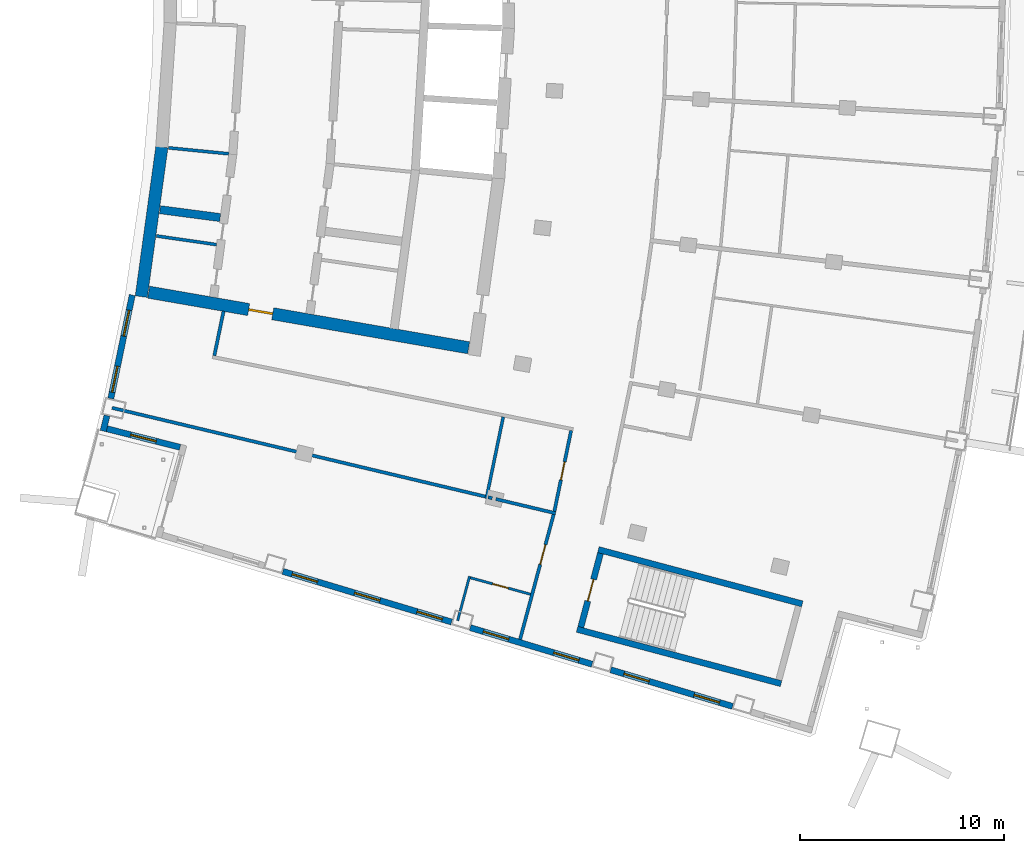
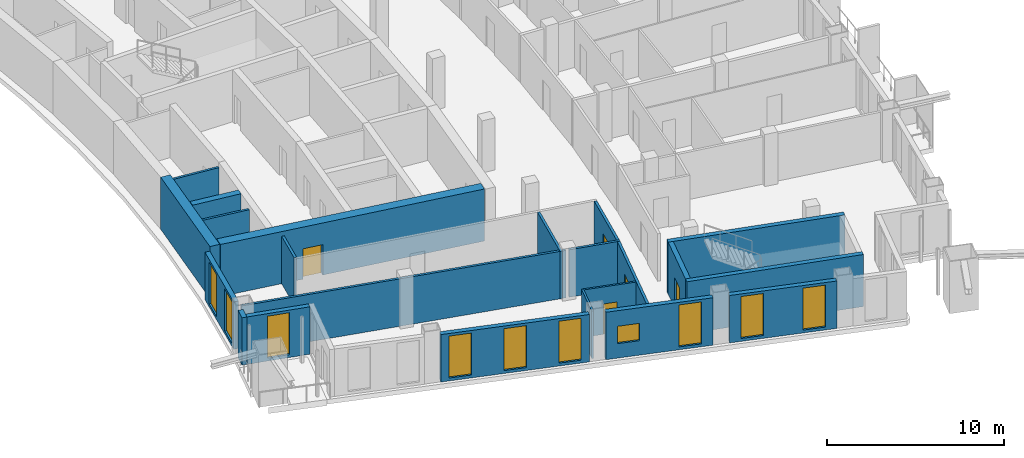
# One storey, part 9 of 19: 23 walls, 10 windows, 5 doors, 15 openings.
"""IFC4 building model written with IfcOpenShell, lengths in metres."""

from ifc_helpers import new_model, si_unit, direction, frame, frame_2d, origin, place, context, subcontext, project, spatial, rectangle, extrude, material, layer, layer_set, type_object, element, fill, save


model = new_model("IFC4")

# Units and contexts
model_context = context("Model", 3, precision=1e-05, world=origin(), true_north=direction((0.0, 1.0)))
body_context = subcontext(model_context, "Body", "Model", "MODEL_VIEW")
ifc_project = project(units=[si_unit("LENGTHUNIT", "METRE"), si_unit("AREAUNIT", "SQUARE_METRE"), si_unit("VOLUMEUNIT", "CUBIC_METRE"), si_unit("PLANEANGLEUNIT", "RADIAN"), si_unit("MASSUNIT", "GRAM", prefix="KILO")], contexts=[model_context])

# Site, building, storey
site_placement = place(None, origin())
site = spatial("IfcSite", under=ifc_project, at=site_placement, CompositionType="ELEMENT")
building_placement = place(site_placement, origin())
building = spatial("IfcBuilding", under=site, at=building_placement, Name="Alderwake Tower", CompositionType="ELEMENT")
storey_placement = place(building_placement, frame((0.0, 0.0, 228.800048828125)))
storey = spatial("IfcBuildingStorey", under=building, at=storey_placement, Name="L57", CompositionType="ELEMENT", Elevation=228.800048828125)

# Walls
ifc_material_1 = material(Name="Gypsum shaft wall system, rated")
ifc_layer_1 = layer(ifc_material_1, 0.14990234375)
ifc_layer_set_1 = layer_set([ifc_layer_1], Name="Core room partition 150")
wall_type_1 = type_object("IfcWallType", Name="Core room partition 150", PredefinedType="PARTITIONING", material=ifc_layer_set_1)
wall_1_placement = place(storey_placement, frame((16.064453125, 47.125, 0.0), z_axis=(0.0, 0.0, 1.0), x_axis=(0.989723849993, -0.142991960454, 0.0)))
element("IfcWall", 1, at=wall_1_placement, inside=storey, type_object=wall_type_1, Name="CW/L57/PR-150_+0", PredefinedType="PARTITIONING", context=body_context, shape_type="SweptSolid", body=[
    extrude(rectangle(XDim=2.98095703125, YDim=0.14990234375, at=frame_2d((1.490478515625, 0.0))), origin(), (0.0, 0.0, 1.0), 3.280029296875),
])
wall_2_placement = place(storey_placement, frame((16.659423828125, 51.448486328125, 0.0), z_axis=(0.0, 0.0, 1.0), x_axis=(0.995154514796, -0.098323403527, 0.0)))
element("IfcWall", 2, at=wall_2_placement, inside=storey, type_object=wall_type_1, Name="CW/L57/PR-103_+0", PredefinedType="PARTITIONING", context=body_context, shape_type="SweptSolid", body=[
    extrude(rectangle(XDim=2.9697265625, YDim=0.14990234375, at=frame_2d((1.48486328125, 0.0))), origin(), (0.0, 0.0, 1.0), 3.280029296875),
])
ifc_material_2 = material(Name="Concrete C70/85", Category="concrete")
ifc_layer_2 = layer(ifc_material_2, 0.60009765625)
ifc_layer_set_2 = layer_set([ifc_layer_2], Name="Core wall outer 600 C70-85")
wall_type_2 = type_object("IfcWallType", Name="Core wall outer 600 C70-85", PredefinedType="SHEAR", material=ifc_layer_set_2)
wall_3_placement = place(storey_placement, frame((15.321533203125, 44.146240234375, 0.0), z_axis=(0.0, 0.0, 1.0), x_axis=(0.136316498814, 0.990665338119, 0.0)))
element("IfcWall", 3, at=wall_3_placement, inside=storey, type_object=wall_type_2, Name="Core wall CW.037", PredefinedType="SHEAR", context=body_context, shape_type="SweptSolid", body=[
    extrude(rectangle(XDim=7.41455078125, YDim=0.60009765625, at=frame_2d((3.707275390625, 0.0))), origin(), (0.0, 0.0, 1.0), 3.599853515625),
])

# Wall, opening, door
wall_4_placement = place(storey_placement, frame((31.386962890625, 41.63525390625, 0.0), z_axis=(0.0, 0.0, 1.0), x_axis=(-0.985223108003, 0.171275881127, 0.0)))
wall_4 = element("IfcWall", 4, at=wall_4_placement, inside=storey, type_object=wall_type_2, Name="Core wall CW.072", PredefinedType="SHEAR", context=body_context, shape_type="SweptSolid", body=[
    extrude(rectangle(XDim=15.937744140625, YDim=0.60009765625, at=frame_2d((7.96875, 0.0))), origin(), (0.0, 0.0, 1.0), 3.599853515625),
])
opening_1_placement = place(wall_4_placement, frame((9.757568359375, 0.0, 0.0)))
opening_1 = element("IfcOpeningElement", 5, at=opening_1_placement, cuts=wall_4, Name="Opening C003", PredefinedType="OPENING", context=body_context, shape_type="SweptSolid", body=[
    extrude(rectangle(XDim=1.199951171875, YDim=2.10009765625, at=frame_2d((0.60009765625, 1.050048828125))), frame((0.0, 0.31005859375, 0.0), z_axis=(0.0, -1.0, 0.0), x_axis=(1.0, 0.0, 0.0)), (0.0, 0.0, 1.0), 0.6201171875),
])
ifc_material_3 = material(Name="Steel-framed fire door leaf", Category="steel")
door_type_1 = type_object("IfcDoorType", Name="Core lobby exit door 1200 fire-rated", OperationType="SINGLE_SWING_LEFT", PredefinedType="DOOR", material=ifc_material_3)
door_1_placement = place(opening_1_placement, origin())
door_1 = element("IfcDoor", 6, at=door_1_placement, inside=storey, type_object=door_type_1, Name="Lobby door", OperationType="SINGLE_SWING_LEFT", OverallHeight=2.10009765625, OverallWidth=1.199951171875, PredefinedType="DOOR", context=body_context, shape_type="SweptSolid", body=[
    extrude(rectangle(XDim=1.199951171875, YDim=2.10009765625, at=frame_2d((0.60009765625, 1.050048828125))), frame((0.0, 0.050048828125, 0.0), z_axis=(0.0, -1.0, 0.0), x_axis=(1.0, 0.0, 0.0)), (0.0, 0.0, 1.0), 0.10009765625),
])
fill(opening_1, door_1)

# Walls
ifc_material_4 = material(Name="Concrete C70/85", Category="concrete")
ifc_layer_3 = layer(ifc_material_4, 0.39990234375)
ifc_layer_set_3 = layer_set([ifc_layer_3], Name="Core wall spine 400 C70-85")
wall_type_3 = type_object("IfcWallType", Name="Core wall spine 400 C70-85", PredefinedType="SHEAR", material=ifc_layer_set_3)
wall_5_placement = place(storey_placement, frame((16.24169921875, 48.412353515625, 0.0), z_axis=(0.0, 0.0, 1.0), x_axis=(0.991548658387, -0.129735338481, 0.0)))
element("IfcWall", 7, at=wall_5_placement, inside=storey, type_object=wall_type_3, Name="Core wall CW.067", PredefinedType="SHEAR", context=body_context, shape_type="SweptSolid", body=[
    extrude(rectangle(XDim=2.97705078125, YDim=0.39990234375, at=frame_2d((1.488525390625, 0.0))), origin(), (0.0, 0.0, 1.0), 3.599853515625),
])
ifc_material_5 = material(Name="Concrete C70/85", Category="concrete")
ifc_layer_4 = layer(ifc_material_5, 0.300048828125)
ifc_layer_set_4 = layer_set([ifc_layer_4], Name="Core wall stair enclosure 300 C70-85")
wall_type_4 = type_object("IfcWallType", Name="Core wall stair enclosure 300 C70-85", PredefinedType="SHEAR", material=ifc_layer_set_4)
for number, where, z_axis, x_axis, name in (
    (8, (37.75390625, 31.731201171875, 0.0), (0.0, 0.0, 1.0), (0.966309214305, -0.257383958996, 0.0), "Core wall CW.086"),
    (9, (36.71142578125, 27.817626953125, 0.0), (0.0, 0.0, 1.0), (0.966309214305, -0.257383958996, 0.0), "Core wall CW.088"),
):
    element("IfcWall", number, at=place(storey_placement, frame(where, z_axis=z_axis, x_axis=x_axis)), inside=storey, type_object=wall_type_4, Name=name, PredefinedType="SHEAR", context=body_context, shape_type="SweptSolid", body=[
        extrude(rectangle(XDim=10.360107421875, YDim=0.300048828125, at=frame_2d((5.18017578125, 0.0))), origin(), (0.0, 0.0, 1.0), 3.599853515625),
    ])

# Wall, opening, door
wall_6_placement = place(storey_placement, frame((36.89501953125, 27.923828125, 0.0), z_axis=(0.0, 0.0, 1.0), x_axis=(0.257350630826, 0.966318090907, 0.0)))
wall_6 = element("IfcWall", 10, at=wall_6_placement, inside=storey, type_object=wall_type_4, Name="Core wall CW.087", PredefinedType="SHEAR", context=body_context, shape_type="SweptSolid", body=[
    extrude(rectangle(XDim=3.75, YDim=0.300048828125, at=frame_2d((1.875, 0.0))), origin(), (0.0, 0.0, 1.0), 3.599853515625),
])
opening_2_placement = place(wall_6_placement, frame((1.324951171875, 0.0, 0.0)))
opening_2 = element("IfcOpeningElement", 11, at=opening_2_placement, cuts=wall_6, Name="Opening C065", PredefinedType="OPENING", context=body_context, shape_type="SweptSolid", body=[
    extrude(rectangle(XDim=1.10009765625, YDim=2.10009765625, at=frame_2d((0.550048828125, 1.050048828125))), frame((0.0, 0.159912109375, 0.0), z_axis=(0.0, -1.0, 0.0), x_axis=(1.0, 0.0, 0.0)), (0.0, 0.0, 1.0), 0.320068359375),
])
ifc_material_6 = material(Name="Steel-framed fire door leaf", Category="steel")
door_type_2 = type_object("IfcDoorType", Name="Core stair door 1100 fire-rated", OperationType="SINGLE_SWING_LEFT", PredefinedType="DOOR", material=ifc_material_6)
door_2_placement = place(opening_2_placement, origin())
door_2 = element("IfcDoor", 12, at=door_2_placement, inside=storey, type_object=door_type_2, Name="Stair door", OperationType="SINGLE_SWING_RIGHT", OverallHeight=2.10009765625, OverallWidth=1.10009765625, PredefinedType="DOOR", context=body_context, shape_type="SweptSolid", body=[
    extrude(rectangle(XDim=1.10009765625, YDim=2.10009765625, at=frame_2d((0.550048828125, 1.050048828125))), frame((0.0, 0.02490234375, 0.0), z_axis=(0.0, -1.0, 0.0), x_axis=(1.0, 0.0, 0.0)), (0.0, 0.0, 1.0), 0.050048828125),
])
fill(opening_2, door_2)

# Walls
ifc_material_7 = material(Name="Gypsum board on metal studs, rated")
ifc_layer_5 = layer(ifc_material_7, 0.159912109375)
ifc_layer_set_5 = layer_set([ifc_layer_5], Name="Corridor wall 160")
wall_type_5 = type_object("IfcWallType", Name="Corridor wall 160", PredefinedType="PARTITIONING", material=ifc_layer_set_5)
wall_7_placement = place(storey_placement, frame((13.884033203125, 38.68798828125, 0.0), z_axis=(0.0, 0.0, 1.0), x_axis=(0.972897690171, -0.231235993004, 0.0)))
element("IfcWall", 13, at=wall_7_placement, inside=storey, type_object=wall_type_5, Name="WL/L57/W10", PredefinedType="PARTITIONING", context=body_context, shape_type="SweptSolid", body=[
    extrude(rectangle(XDim=18.8271484375, YDim=0.159912109375, at=frame_2d((9.41357421875, 0.0))), origin(), (0.0, 0.0, 1.0), 3.280029296875),
])
wall_8_placement = place(storey_placement, frame((19.35888671875, 43.430908203125, 0.0), z_axis=(0.0, 0.0, 1.0), x_axis=(-0.202554916658, -0.979270905183, 0.0)))
element("IfcWall", 14, at=wall_8_placement, inside=storey, type_object=wall_type_5, Name="WL/L57/W13", PredefinedType="PARTITIONING", context=body_context, shape_type="SweptSolid", body=[
    extrude(rectangle(XDim=2.229736328125, YDim=0.159912109375, at=frame_2d((1.11474609375, 0.0))), origin(), (0.0, 0.0, 1.0), 3.280029296875),
])
wall_9_placement = place(storey_placement, frame((32.343994140625, 34.300048828125, 0.0), z_axis=(0.0, 0.0, 1.0), x_axis=(0.974391195695, -0.224859506699, 0.0)))
element("IfcWall", 15, at=wall_9_placement, inside=storey, type_object=wall_type_5, Name="WL/L57/W15", PredefinedType="PARTITIONING", context=body_context, shape_type="SweptSolid", body=[
    extrude(rectangle(XDim=0.205322265625, YDim=0.159912109375, at=frame_2d((0.1025390625, 0.0))), origin(), (0.0, 0.0, 1.0), 3.280029296875),
])
wall_10_placement = place(storey_placement, frame((32.725341796875, 34.210205078125, 0.0), z_axis=(0.0, 0.0, 1.0), x_axis=(0.972838360224, -0.231485474442, 0.0)))
element("IfcWall", 16, at=wall_10_placement, inside=storey, type_object=wall_type_5, Name="WL/L57/W16", PredefinedType="PARTITIONING", context=body_context, shape_type="SweptSolid", body=[
    extrude(rectangle(XDim=3.01416015625, YDim=0.159912109375, at=frame_2d((1.507080078125, 0.0))), origin(), (0.0, 0.0, 1.0), 3.280029296875),
])

# Wall, opening, door
wall_11_placement = place(storey_placement, frame((33.912109375, 27.321044921875, 0.0), z_axis=(0.0, 0.0, 1.0), x_axis=(0.259370874835, 0.965777794986, 0.0)))
wall_11 = element("IfcWall", 17, at=wall_11_placement, inside=storey, type_object=wall_type_5, Name="WL/L57/W18", PredefinedType="PARTITIONING", context=body_context, shape_type="SweptSolid", body=[
    extrude(rectangle(XDim=6.349853515625, YDim=0.159912109375, at=frame_2d((3.1748046875, 0.0))), origin(), (0.0, 0.0, 1.0), 3.280029296875),
])
opening_3_placement = place(wall_11_placement, frame((3.811279296875, 0.0, 0.0)))
opening_3 = element("IfcOpeningElement", 18, at=opening_3_placement, cuts=wall_11, Name="Opening R16-U09.1", PredefinedType="OPENING", context=body_context, shape_type="SweptSolid", body=[
    extrude(rectangle(XDim=1.0, YDim=2.10009765625, at=frame_2d((0.5, 1.050048828125))), frame((0.0, 0.08984375, 0.0), z_axis=(0.0, -1.0, 0.0), x_axis=(1.0, 0.0, 0.0)), (0.0, 0.0, 1.0), 0.179931640625),
])
ifc_material_8 = material(Name="Solid timber leaf in steel frame", Category="steel")
door_type_3 = type_object("IfcDoorType", Name="Flat entrance door 1000 fire-rated", OperationType="SINGLE_SWING_LEFT", PredefinedType="DOOR", material=ifc_material_8)
door_3_placement = place(opening_3_placement, origin())
door_3 = element("IfcDoor", 19, at=door_3_placement, inside=storey, type_object=door_type_3, Name="DR/L57/U09.1", OperationType="SINGLE_SWING_LEFT", OverallHeight=2.10009765625, OverallWidth=1.0, PredefinedType="DOOR", context=body_context, shape_type="SweptSolid", body=[
    extrude(rectangle(XDim=1.0, YDim=2.10009765625, at=frame_2d((0.5, 1.050048828125))), frame((0.0, 0.02490234375, 0.0), z_axis=(0.0, -1.0, 0.0), x_axis=(1.0, 0.0, 0.0)), (0.0, 0.0, 1.0), 0.050048828125),
])
fill(opening_3, door_3)

wall_12_placement = place(storey_placement, frame((35.59619140625, 33.609375, 0.0), z_axis=(0.0, 0.0, 1.0), x_axis=(0.203245920818, 0.979127721838, 0.0)))
wall_12 = element("IfcWall", 20, at=wall_12_placement, inside=storey, type_object=wall_type_5, Name="WL/L57/W20", PredefinedType="PARTITIONING", context=body_context, shape_type="SweptSolid", body=[
    extrude(rectangle(XDim=4.046875, YDim=0.159912109375, at=frame_2d((2.0234375, 0.0))), origin(), (0.0, 0.0, 1.0), 3.280029296875),
])
opening_4_placement = place(wall_12_placement, frame((1.573486328125, 0.0, 0.0)))
opening_4 = element("IfcOpeningElement", 21, at=opening_4_placement, cuts=wall_12, Name="Opening R16-SBS2", PredefinedType="OPENING", context=body_context, shape_type="SweptSolid", body=[
    extrude(rectangle(XDim=0.89990234375, YDim=2.10009765625, at=frame_2d((0.449951171875, 1.050048828125))), frame((0.0, 0.08984375, 0.0), z_axis=(0.0, -1.0, 0.0), x_axis=(1.0, 0.0, 0.0)), (0.0, 0.0, 1.0), 0.179931640625),
])
ifc_material_9 = material(Name="Painted timber leaf", Category="wood")
door_type_4 = type_object("IfcDoorType", Name="Room door 900", OperationType="SINGLE_SWING_LEFT", PredefinedType="DOOR", material=ifc_material_9)
door_4_placement = place(opening_4_placement, origin())
door_4 = element("IfcDoor", 22, at=door_4_placement, inside=storey, type_object=door_type_4, Name="DR/L57/SBS2", OperationType="SINGLE_SWING_LEFT", OverallHeight=2.10009765625, OverallWidth=0.89990234375, PredefinedType="DOOR", context=body_context, shape_type="SweptSolid", body=[
    extrude(rectangle(XDim=0.89990234375, YDim=2.10009765625, at=frame_2d((0.449951171875, 1.050048828125))), frame((0.0, 0.02490234375, 0.0), z_axis=(0.0, -1.0, 0.0), x_axis=(1.0, 0.0, 0.0)), (0.0, 0.0, 1.0), 0.050048828125),
])
fill(opening_4, door_4)

# Wall
ifc_material_10 = material(Name="Precast concrete C50/60 spandrel panel", Category="concrete")
ifc_layer_6 = layer(ifc_material_10, 0.300048828125)
ifc_layer_set_6 = layer_set([ifc_layer_6], Name="External wall EW1 Precast concrete C50/60 spandrel")
wall_type_6 = type_object("IfcWallType", Name="External wall EW1 Precast concrete C50/60 spandrel", PredefinedType="SOLIDWALL", material=ifc_layer_set_6)
wall_13_placement = place(storey_placement, frame((13.63720703125, 38.30712890625, 0.0), z_axis=(0.0, 0.0, 1.0), x_axis=(-0.23817684901, -0.971221801957, 0.0)))
element("IfcWall", 23, at=wall_13_placement, inside=storey, type_object=wall_type_6, Name="External wall 1", PredefinedType="SOLIDWALL", context=body_context, shape_type="SweptSolid", body=[
    extrude(rectangle(XDim=0.778076171875, YDim=0.300048828125, at=frame_2d((0.38916015625, 0.0))), origin(), (0.0, 0.0, 1.0), 3.280029296875),
])

# Wall, openings, windows
wall_14_placement = place(storey_placement, frame((14.878173828125, 44.223388671875, 0.0), z_axis=(0.0, 0.0, 1.0), x_axis=(-0.202730149235, -0.979234643276, 0.0)))
wall_14 = element("IfcWall", 24, at=wall_14_placement, inside=storey, type_object=wall_type_6, Name="External wall 32", PredefinedType="SOLIDWALL", context=body_context, shape_type="SweptSolid", body=[
    extrude(rectangle(XDim=5.185546875, YDim=0.300048828125, at=frame_2d((2.5927734375, 0.0))), origin(), (0.0, 0.0, 1.0), 3.280029296875),
])
opening_5_placement = place(wall_14_placement, frame((0.75634765625, 0.0, 0.199951171875)))
opening_5 = element("IfcOpeningElement", 25, at=opening_5_placement, cuts=wall_14, Name="Opening W1", PredefinedType="OPENING", context=body_context, shape_type="SweptSolid", body=[
    extrude(rectangle(XDim=1.300048828125, YDim=2.89990234375, at=frame_2d((0.64990234375, 1.449951171875))), frame((0.0, 0.159912109375, 0.0), z_axis=(0.0, -1.0, 0.0), x_axis=(1.0, 0.0, 0.0)), (0.0, 0.0, 1.0), 0.320068359375),
])
opening_6_placement = place(wall_14_placement, frame((3.569091796875, 0.0, 0.199951171875)))
opening_6 = element("IfcOpeningElement", 26, at=opening_6_placement, cuts=wall_14, Name="Opening W1", PredefinedType="OPENING", context=body_context, shape_type="SweptSolid", body=[
    extrude(rectangle(XDim=1.300048828125, YDim=2.89990234375, at=frame_2d((0.64990234375, 1.449951171875))), frame((0.0, 0.159912109375, 0.0), z_axis=(0.0, -1.0, 0.0), x_axis=(1.0, 0.0, 0.0)), (0.0, 0.0, 1.0), 0.320068359375),
])
ifc_material_11 = material(Name="Bronze tinted glass in aluminium frame", Category="aluminium")
window_type_1 = type_object("IfcWindowType", Name="Window W1 tall fixed and vent", PartitioningType="DOUBLE_PANEL_VERTICAL", PredefinedType="WINDOW", material=ifc_material_11)
window_1_placement = place(opening_5_placement, origin())
window_1 = element("IfcWindow", 27, at=window_1_placement, inside=storey, type_object=window_type_1, Name="Window W1 tall fixed and vent", OverallHeight=2.89990234375, OverallWidth=1.300048828125, PartitioningType="DOUBLE_PANEL_VERTICAL", PredefinedType="WINDOW", context=body_context, shape_type="SweptSolid", body=[
    extrude(rectangle(XDim=1.300048828125, YDim=2.89990234375, at=frame_2d((0.64990234375, 1.449951171875))), frame((0.0, 0.030029296875, 0.0), z_axis=(0.0, -1.0, 0.0), x_axis=(1.0, 0.0, 0.0)), (0.0, 0.0, 1.0), 0.06005859375),
])
fill(opening_5, window_1)
window_2_placement = place(opening_6_placement, origin())
window_2 = element("IfcWindow", 28, at=window_2_placement, inside=storey, type_object=window_type_1, Name="Window W1 tall fixed and vent", OverallHeight=2.89990234375, OverallWidth=1.300048828125, PartitioningType="DOUBLE_PANEL_VERTICAL", PredefinedType="WINDOW", context=body_context, shape_type="SweptSolid", body=[
    extrude(rectangle(XDim=1.300048828125, YDim=2.89990234375, at=frame_2d((0.64990234375, 1.449951171875))), frame((0.0, 0.030029296875, 0.0), z_axis=(0.0, -1.0, 0.0), x_axis=(1.0, 0.0, 0.0)), (0.0, 0.0, 1.0), 0.06005859375),
])
fill(opening_6, window_2)

# Wall, opening, window
ifc_material_12 = material(Name="Bronze metal cladding on lightweight framing")
ifc_layer_7 = layer(ifc_material_12, 0.300048828125)
ifc_layer_set_7 = layer_set([ifc_layer_7], Name="External wall EW2 bronze metal cladding")
wall_type_7 = type_object("IfcWallType", Name="External wall EW2 bronze metal cladding", PredefinedType="SOLIDWALL", material=ifc_layer_set_7)
wall_15_placement = place(storey_placement, frame((13.633056640625, 37.660400390625, 0.0), z_axis=(0.0, 0.0, 1.0), x_axis=(0.969417366605, -0.245417948254, 0.0)))
wall_15 = element("IfcWall", 29, at=wall_15_placement, inside=storey, type_object=wall_type_7, Name="External wall 2", PredefinedType="SOLIDWALL", context=body_context, shape_type="SweptSolid", body=[
    extrude(rectangle(XDim=3.70556640625, YDim=0.300048828125, at=frame_2d((1.852783203125, 0.0))), origin(), (0.0, 0.0, 1.0), 3.280029296875),
])
opening_7_placement = place(wall_15_placement, frame((1.202880859375, 0.0, 0.199951171875)))
opening_7 = element("IfcOpeningElement", 30, at=opening_7_placement, cuts=wall_15, Name="Opening W1", PredefinedType="OPENING", context=body_context, shape_type="SweptSolid", body=[
    extrude(rectangle(XDim=1.300048828125, YDim=2.89990234375, at=frame_2d((0.64990234375, 1.449951171875))), frame((0.0, 0.159912109375, 0.0), z_axis=(0.0, -1.0, 0.0), x_axis=(1.0, 0.0, 0.0)), (0.0, 0.0, 1.0), 0.320068359375),
])
window_3_placement = place(opening_7_placement, origin())
window_3 = element("IfcWindow", 31, at=window_3_placement, inside=storey, type_object=window_type_1, Name="Window W1 tall fixed and vent", OverallHeight=2.89990234375, OverallWidth=1.300048828125, PartitioningType="DOUBLE_PANEL_VERTICAL", PredefinedType="WINDOW", context=body_context, shape_type="SweptSolid", body=[
    extrude(rectangle(XDim=1.300048828125, YDim=2.89990234375, at=frame_2d((0.64990234375, 1.449951171875))), frame((0.0, 0.030029296875, 0.0), z_axis=(0.0, -1.0, 0.0), x_axis=(1.0, 0.0, 0.0)), (0.0, 0.0, 1.0), 0.06005859375),
])
fill(opening_7, window_3)

# Wall, openings, windows
wall_16_placement = place(storey_placement, frame((22.270751953125, 30.660888671875, 0.0), z_axis=(0.0, 0.0, 1.0), x_axis=(0.957767198916, -0.287544766394, 0.0)))
wall_16 = element("IfcWall", 32, at=wall_16_placement, inside=storey, type_object=wall_type_7, Name="External wall 5", PredefinedType="SOLIDWALL", context=body_context, shape_type="SweptSolid", body=[
    extrude(rectangle(XDim=8.64599609375, YDim=0.300048828125, at=frame_2d((4.322998046875, 0.0))), origin(), (0.0, 0.0, 1.0), 3.280029296875),
])
opening_8_placement = place(wall_16_placement, frame((0.472900390625, 0.0, 0.199951171875)))
opening_8 = element("IfcOpeningElement", 33, at=opening_8_placement, cuts=wall_16, Name="Opening W1", PredefinedType="OPENING", context=body_context, shape_type="SweptSolid", body=[
    extrude(rectangle(XDim=1.300048828125, YDim=2.89990234375, at=frame_2d((0.64990234375, 1.449951171875))), frame((0.0, 0.159912109375, 0.0), z_axis=(0.0, -1.0, 0.0), x_axis=(1.0, 0.0, 0.0)), (0.0, 0.0, 1.0), 0.320068359375),
])
opening_9_placement = place(wall_16_placement, frame((3.673095703125, 0.0, 0.199951171875)))
opening_9 = element("IfcOpeningElement", 34, at=opening_9_placement, cuts=wall_16, Name="Opening W1", PredefinedType="OPENING", context=body_context, shape_type="SweptSolid", body=[
    extrude(rectangle(XDim=1.300048828125, YDim=2.89990234375, at=frame_2d((0.64990234375, 1.449951171875))), frame((0.0, 0.159912109375, 0.0), z_axis=(0.0, -1.0, 0.0), x_axis=(1.0, 0.0, 0.0)), (0.0, 0.0, 1.0), 0.320068359375),
])
opening_10_placement = place(wall_16_placement, frame((6.873046875, 0.0, 0.199951171875)))
opening_10 = element("IfcOpeningElement", 35, at=opening_10_placement, cuts=wall_16, Name="Opening W1", PredefinedType="OPENING", context=body_context, shape_type="SweptSolid", body=[
    extrude(rectangle(XDim=1.300048828125, YDim=2.89990234375, at=frame_2d((0.64990234375, 1.449951171875))), frame((0.0, 0.159912109375, 0.0), z_axis=(0.0, -1.0, 0.0), x_axis=(1.0, 0.0, 0.0)), (0.0, 0.0, 1.0), 0.320068359375),
])
window_4_placement = place(opening_8_placement, origin())
window_4 = element("IfcWindow", 36, at=window_4_placement, inside=storey, type_object=window_type_1, Name="Window W1 tall fixed and vent", OverallHeight=2.89990234375, OverallWidth=1.300048828125, PartitioningType="DOUBLE_PANEL_VERTICAL", PredefinedType="WINDOW", context=body_context, shape_type="SweptSolid", body=[
    extrude(rectangle(XDim=1.300048828125, YDim=2.89990234375, at=frame_2d((0.64990234375, 1.449951171875))), frame((0.0, 0.030029296875, 0.0), z_axis=(0.0, -1.0, 0.0), x_axis=(1.0, 0.0, 0.0)), (0.0, 0.0, 1.0), 0.06005859375),
])
fill(opening_8, window_4)
window_5_placement = place(opening_9_placement, origin())
window_5 = element("IfcWindow", 37, at=window_5_placement, inside=storey, type_object=window_type_1, Name="Window W1 tall fixed and vent", OverallHeight=2.89990234375, OverallWidth=1.300048828125, PartitioningType="DOUBLE_PANEL_VERTICAL", PredefinedType="WINDOW", context=body_context, shape_type="SweptSolid", body=[
    extrude(rectangle(XDim=1.300048828125, YDim=2.89990234375, at=frame_2d((0.64990234375, 1.449951171875))), frame((0.0, 0.030029296875, 0.0), z_axis=(0.0, -1.0, 0.0), x_axis=(1.0, 0.0, 0.0)), (0.0, 0.0, 1.0), 0.06005859375),
])
fill(opening_9, window_5)
window_6_placement = place(opening_10_placement, origin())
window_6 = element("IfcWindow", 38, at=window_6_placement, inside=storey, type_object=window_type_1, Name="Window W1 tall fixed and vent", OverallHeight=2.89990234375, OverallWidth=1.300048828125, PartitioningType="DOUBLE_PANEL_VERTICAL", PredefinedType="WINDOW", context=body_context, shape_type="SweptSolid", body=[
    extrude(rectangle(XDim=1.300048828125, YDim=2.89990234375, at=frame_2d((0.64990234375, 1.449951171875))), frame((0.0, 0.030029296875, 0.0), z_axis=(0.0, -1.0, 0.0), x_axis=(1.0, 0.0, 0.0)), (0.0, 0.0, 1.0), 0.06005859375),
])
fill(opening_10, window_6)

wall_17_placement = place(storey_placement, frame((31.465087890625, 27.900390625, 0.0), z_axis=(0.0, 0.0, 1.0), x_axis=(0.95776710022, -0.287545095136, 0.0)))
wall_17 = element("IfcWall", 39, at=wall_17_placement, inside=storey, type_object=wall_type_7, Name="External wall 6", PredefinedType="SOLIDWALL", context=body_context, shape_type="SweptSolid", body=[
    extrude(rectangle(XDim=6.24658203125, YDim=0.300048828125, at=frame_2d((3.123291015625, 0.0))), origin(), (0.0, 0.0, 1.0), 3.280029296875),
])
opening_11_placement = place(wall_17_placement, frame((0.673095703125, 0.0, 1.0)))
opening_11 = element("IfcOpeningElement", 40, at=opening_11_placement, cuts=wall_17, Name="Opening W2", PredefinedType="OPENING", context=body_context, shape_type="SweptSolid", body=[
    extrude(rectangle(XDim=1.300048828125, YDim=1.199951171875, at=frame_2d((0.64990234375, 0.60009765625))), frame((0.0, 0.159912109375, 0.0), z_axis=(0.0, -1.0, 0.0), x_axis=(1.0, 0.0, 0.0)), (0.0, 0.0, 1.0), 0.320068359375),
])
opening_12_placement = place(wall_17_placement, frame((4.273193359375, 0.0, 0.199951171875)))
opening_12 = element("IfcOpeningElement", 41, at=opening_12_placement, cuts=wall_17, Name="Opening W1", PredefinedType="OPENING", context=body_context, shape_type="SweptSolid", body=[
    extrude(rectangle(XDim=1.300048828125, YDim=2.89990234375, at=frame_2d((0.64990234375, 1.449951171875))), frame((0.0, 0.159912109375, 0.0), z_axis=(0.0, -1.0, 0.0), x_axis=(1.0, 0.0, 0.0)), (0.0, 0.0, 1.0), 0.320068359375),
])
window_7_placement = place(opening_12_placement, origin())
window_7 = element("IfcWindow", 42, at=window_7_placement, inside=storey, type_object=window_type_1, Name="Window W1 tall fixed and vent", OverallHeight=2.89990234375, OverallWidth=1.300048828125, PartitioningType="DOUBLE_PANEL_VERTICAL", PredefinedType="WINDOW", context=body_context, shape_type="SweptSolid", body=[
    extrude(rectangle(XDim=1.300048828125, YDim=2.89990234375, at=frame_2d((0.64990234375, 1.449951171875))), frame((0.0, 0.030029296875, 0.0), z_axis=(0.0, -1.0, 0.0), x_axis=(1.0, 0.0, 0.0)), (0.0, 0.0, 1.0), 0.06005859375),
])
fill(opening_12, window_7)
ifc_material_13 = material(Name="Bronze tinted glass in aluminium frame", Category="aluminium")
window_type_2 = type_object("IfcWindowType", Name="Window W2 kitchen and bath", PartitioningType="SINGLE_PANEL", PredefinedType="WINDOW", material=ifc_material_13)
window_8_placement = place(opening_11_placement, origin())
window_8 = element("IfcWindow", 43, at=window_8_placement, inside=storey, type_object=window_type_2, Name="Window W2 kitchen and bath", OverallHeight=1.199951171875, OverallWidth=1.300048828125, PartitioningType="SINGLE_PANEL", PredefinedType="WINDOW", context=body_context, shape_type="SweptSolid", body=[
    extrude(rectangle(XDim=1.300048828125, YDim=1.199951171875, at=frame_2d((0.64990234375, 0.60009765625))), frame((0.0, 0.030029296875, 0.0), z_axis=(0.0, -1.0, 0.0), x_axis=(1.0, 0.0, 0.0)), (0.0, 0.0, 1.0), 0.06005859375),
])
fill(opening_11, window_8)

wall_18_placement = place(storey_placement, frame((38.361083984375, 25.830078125, 0.0), z_axis=(0.0, 0.0, 1.0), x_axis=(0.95776710022, -0.287545095136, 0.0)))
wall_18 = element("IfcWall", 44, at=wall_18_placement, inside=storey, type_object=wall_type_7, Name="External wall 7", PredefinedType="SOLIDWALL", context=body_context, shape_type="SweptSolid", body=[
    extrude(rectangle(XDim=6.24658203125, YDim=0.300048828125, at=frame_2d((3.123291015625, 0.0))), origin(), (0.0, 0.0, 1.0), 3.280029296875),
])
opening_13_placement = place(wall_18_placement, frame((0.673095703125, 0.0, 0.199951171875)))
opening_13 = element("IfcOpeningElement", 45, at=opening_13_placement, cuts=wall_18, Name="Opening W1", PredefinedType="OPENING", context=body_context, shape_type="SweptSolid", body=[
    extrude(rectangle(XDim=1.300048828125, YDim=2.89990234375, at=frame_2d((0.64990234375, 1.449951171875))), frame((0.0, 0.159912109375, 0.0), z_axis=(0.0, -1.0, 0.0), x_axis=(1.0, 0.0, 0.0)), (0.0, 0.0, 1.0), 0.320068359375),
])
opening_14_placement = place(wall_18_placement, frame((4.273193359375, 0.0, 0.199951171875)))
opening_14 = element("IfcOpeningElement", 46, at=opening_14_placement, cuts=wall_18, Name="Opening W1", PredefinedType="OPENING", context=body_context, shape_type="SweptSolid", body=[
    extrude(rectangle(XDim=1.300048828125, YDim=2.89990234375, at=frame_2d((0.64990234375, 1.449951171875))), frame((0.0, 0.159912109375, 0.0), z_axis=(0.0, -1.0, 0.0), x_axis=(1.0, 0.0, 0.0)), (0.0, 0.0, 1.0), 0.320068359375),
])
window_9_placement = place(opening_13_placement, origin())
window_9 = element("IfcWindow", 47, at=window_9_placement, inside=storey, type_object=window_type_1, Name="Window W1 tall fixed and vent", OverallHeight=2.89990234375, OverallWidth=1.300048828125, PartitioningType="DOUBLE_PANEL_VERTICAL", PredefinedType="WINDOW", context=body_context, shape_type="SweptSolid", body=[
    extrude(rectangle(XDim=1.300048828125, YDim=2.89990234375, at=frame_2d((0.64990234375, 1.449951171875))), frame((0.0, 0.030029296875, 0.0), z_axis=(0.0, -1.0, 0.0), x_axis=(1.0, 0.0, 0.0)), (0.0, 0.0, 1.0), 0.06005859375),
])
fill(opening_13, window_9)
window_10_placement = place(opening_14_placement, origin())
window_10 = element("IfcWindow", 48, at=window_10_placement, inside=storey, type_object=window_type_1, Name="Window W1 tall fixed and vent", OverallHeight=2.89990234375, OverallWidth=1.300048828125, PartitioningType="DOUBLE_PANEL_VERTICAL", PredefinedType="WINDOW", context=body_context, shape_type="SweptSolid", body=[
    extrude(rectangle(XDim=1.300048828125, YDim=2.89990234375, at=frame_2d((0.64990234375, 1.449951171875))), frame((0.0, 0.030029296875, 0.0), z_axis=(0.0, -1.0, 0.0), x_axis=(1.0, 0.0, 0.0)), (0.0, 0.0, 1.0), 0.06005859375),
])
fill(opening_14, window_10)

# Walls
ifc_material_14 = material(Name="Gypsum shaft wall system, rated")
ifc_layer_8 = layer(ifc_material_14, 0.14990234375)
ifc_layer_set_8 = layer_set([ifc_layer_8], Name="Riser and shaft wall 150")
wall_type_8 = type_object("IfcWallType", Name="Riser and shaft wall 150", PredefinedType="PARTITIONING", material=ifc_layer_set_8)
wall_19_placement = place(storey_placement, frame((32.2578125, 34.23876953125, 0.0), z_axis=(0.0, 0.0, 1.0), x_axis=(0.202579923059, 0.979265732462, 0.0)))
element("IfcWall", 49, at=wall_19_placement, inside=storey, type_object=wall_type_8, Name="WL/L57/W06", PredefinedType="PARTITIONING", context=body_context, shape_type="SweptSolid", body=[
    extrude(rectangle(XDim=4.086669921875, YDim=0.14990234375, at=frame_2d((2.04345703125, 0.0))), origin(), (0.0, 0.0, 1.0), 3.280029296875),
])
ifc_material_15 = material(Name="Moisture resistant gypsum board on metal studs")
ifc_layer_9 = layer(ifc_material_15, 0.1201171875)
ifc_layer_set_9 = layer_set([ifc_layer_9], Name="Wet room partition 120")
wall_type_9 = type_object("IfcWallType", Name="Wet room partition 120", PredefinedType="PARTITIONING", material=ifc_layer_set_9)
wall_20_placement = place(storey_placement, frame((31.4345703125, 30.4208984375, 0.0), z_axis=(0.0, 0.0, 1.0), x_axis=(-0.259480612243, -0.965748317042, 0.0)))
element("IfcWall", 50, at=wall_20_placement, inside=storey, type_object=wall_type_9, Name="WL/L57/W32", PredefinedType="PARTITIONING", context=body_context, shape_type="SweptSolid", body=[
    extrude(rectangle(XDim=2.25634765625, YDim=0.1201171875, at=frame_2d((1.128173828125, 0.0))), origin(), (0.0, 0.0, 1.0), 3.280029296875),
])

# Wall, opening, door
wall_21_placement = place(storey_placement, frame((34.42578125, 29.5380859375, 0.0), z_axis=(0.0, 0.0, 1.0), x_axis=(-0.964362903476, 0.264583050097, 0.0)))
wall_21 = element("IfcWall", 51, at=wall_21_placement, inside=storey, type_object=wall_type_9, Name="WL/L57/W34", PredefinedType="PARTITIONING", context=body_context, shape_type="SweptSolid", body=[
    extrude(rectangle(XDim=3.057861328125, YDim=0.1201171875, at=frame_2d((1.52880859375, 0.0))), origin(), (0.0, 0.0, 1.0), 3.280029296875),
])
opening_15_placement = place(wall_21_placement, frame((1.12890625, 0.0, 0.0)))
opening_15 = element("IfcOpeningElement", 52, at=opening_15_placement, cuts=wall_21, Name="Opening R16-U09.2", PredefinedType="OPENING", context=body_context, shape_type="SweptSolid", body=[
    extrude(rectangle(XDim=0.800048828125, YDim=2.10009765625, at=frame_2d((0.39990234375, 1.050048828125))), frame((0.0, 0.070068359375, 0.0), z_axis=(0.0, -1.0, 0.0), x_axis=(1.0, 0.0, 0.0)), (0.0, 0.0, 1.0), 0.14013671875),
])
ifc_material_16 = material(Name="Painted timber leaf", Category="wood")
door_type_5 = type_object("IfcDoorType", Name="Bathroom door 800", OperationType="SINGLE_SWING_LEFT", PredefinedType="DOOR", material=ifc_material_16)
door_5_placement = place(opening_15_placement, origin())
door_5 = element("IfcDoor", 53, at=door_5_placement, inside=storey, type_object=door_type_5, Name="DR/L57/U09.2", OperationType="SINGLE_SWING_LEFT", OverallHeight=2.10009765625, OverallWidth=0.800048828125, PredefinedType="DOOR", context=body_context, shape_type="SweptSolid", body=[
    extrude(rectangle(XDim=0.800048828125, YDim=2.10009765625, at=frame_2d((0.39990234375, 1.050048828125))), frame((0.0, 0.02490234375, 0.0), z_axis=(0.0, -1.0, 0.0), x_axis=(1.0, 0.0, 0.0)), (0.0, 0.0, 1.0), 0.050048828125),
])
fill(opening_15, door_5)

save(model, "model.ifc")
